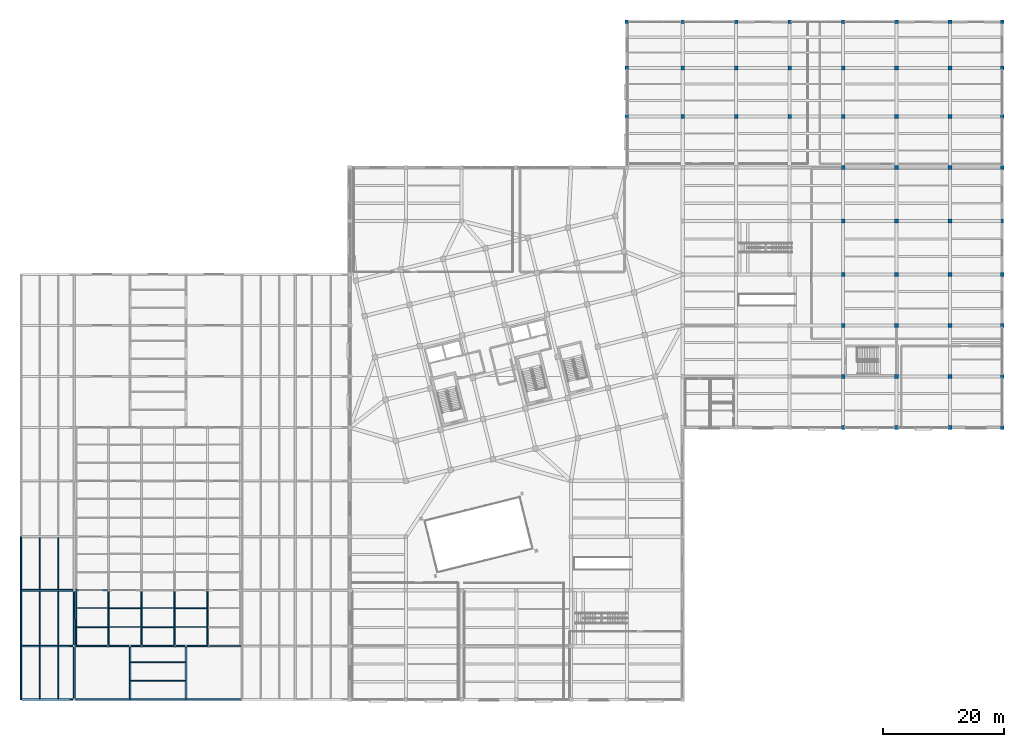
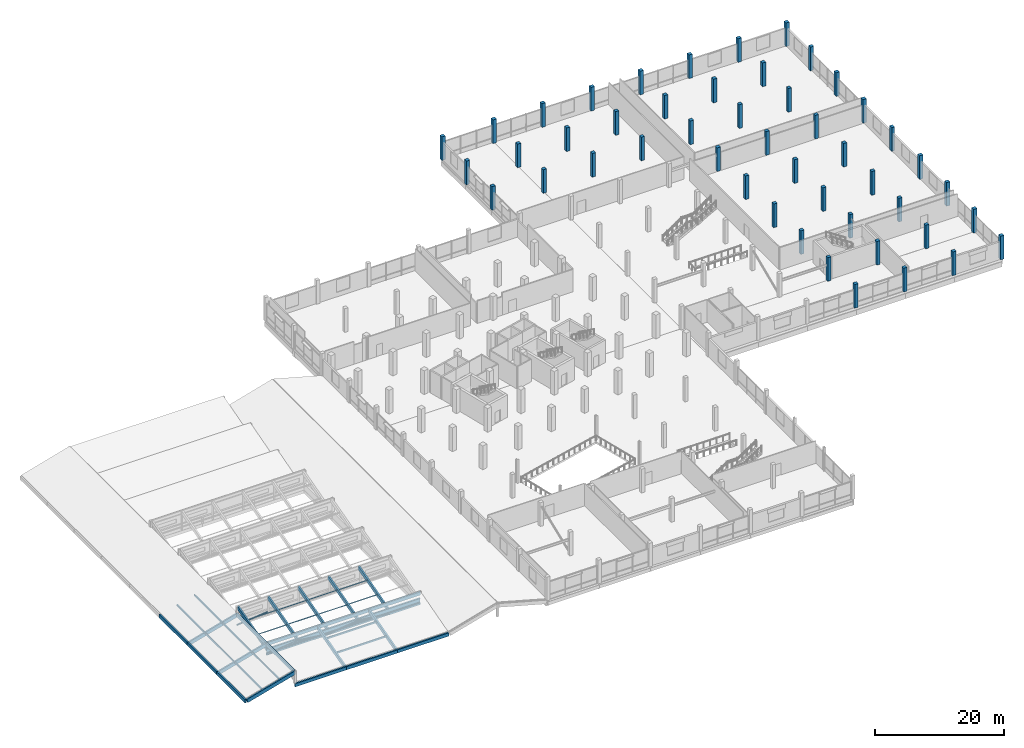
# One storey, part 9 of 77: 48 columns, 22 beams, 22 members.
"""IFC4 building model written with IfcOpenShell, lengths in metres."""

from ifc_helpers import new_model, si_unit, direction, frame, origin, origin_2d, place, context, subcontext, project, spatial, rectangle, hollow_rectangle, hollow_circle, i_section, extrude, material, material_profile, profile_set, type_object, element, save


model = new_model("IFC4")

# Units and contexts
model_context = context("Model", 3, precision=1e-05, world=origin(), true_north=direction((0.0, 1.0)))
body_context = subcontext(model_context, "Body", "Model", "MODEL_VIEW")
ifc_project = project(units=[si_unit("LENGTHUNIT", "METRE"), si_unit("AREAUNIT", "SQUARE_METRE"), si_unit("VOLUMEUNIT", "CUBIC_METRE"), si_unit("PLANEANGLEUNIT", "RADIAN"), si_unit("MASSUNIT", "GRAM", prefix="KILO")], contexts=[model_context])

# Site, building, storey
site_placement = place(None, origin())
site = spatial("IfcSite", under=ifc_project, at=site_placement, CompositionType="ELEMENT")
building_placement = place(site_placement, origin())
building = spatial("IfcBuilding", under=site, at=building_placement, Name="Meriwether Solvik Hall", CompositionType="ELEMENT")
storey_placement = place(building_placement, frame((0.0, 0.0, 9.89990234375)))
storey = spatial("IfcBuildingStorey", under=building, at=storey_placement, Name="L02", CompositionType="ELEMENT", Elevation=9.89990234375)

# Columns
ifc_material_1 = material(Name="Concrete C40/50", Category="concrete")
ifc_material_profile_1 = material_profile(ifc_material_1, rectangle(XDim=0.60009765625, YDim=0.60009765625, at=origin_2d()), Name="RCC-600X600")
ifc_profile_set_1 = profile_set([ifc_material_profile_1], Name="Concrete C40/50")
column_type_1 = type_object("IfcColumnType", Name="COL-RC-600", PredefinedType="COLUMN", material=ifc_profile_set_1)
for number, where, z_axis, x_axis, name in (
    (1, (105.0, 101.199951171875, 0.0), (0.0, 0.0, 1.0), (1.0, 0.0, 0.0), "Podium Column 12/L (L02)"),
    (2, (105.0, 109.199951171875, 0.0), (0.0, 0.0, 1.0), (1.0, 0.0, 0.0), "Podium Column 12/M (L02)"),
    (3, (105.0, 116.800048828125, 0.0), (0.0, 0.0, 1.0), (1.0, 0.0, 0.0), "Podium Column 12/N (L02)"),
    (4, (114.199951171875, 101.199951171875, 0.0), (0.0, 0.0, 1.0), (1.0, 0.0, 0.0), "Podium Column 13/L (L02)"),
    (5, (114.199951171875, 109.199951171875, 0.0), (0.0, 0.0, 1.0), (1.0, 0.0, 0.0), "Podium Column 13/M (L02)"),
    (6, (114.199951171875, 116.800048828125, 0.0), (0.0, 0.0, 1.0), (1.0, 0.0, 0.0), "Podium Column 13/N (L02)"),
    (7, (123.0, 101.199951171875, 0.0), (0.0, 0.0, 1.0), (1.0, 0.0, 0.0), "Podium Column 14/L (L02)"),
    (8, (123.0, 109.199951171875, 0.0), (0.0, 0.0, 1.0), (1.0, 0.0, 0.0), "Podium Column 14/M (L02)"),
    (9, (123.0, 116.800048828125, 0.0), (0.0, 0.0, 1.0), (1.0, 0.0, 0.0), "Podium Column 14/N (L02)"),
    (10, (131.800048828125, 101.199951171875, 0.0), (0.0, 0.0, 1.0), (1.0, 0.0, 0.0), "Podium Column 15/L (L02)"),
    (11, (131.800048828125, 109.199951171875, 0.0), (0.0, 0.0, 1.0), (1.0, 0.0, 0.0), "Podium Column 15/M (L02)"),
    (12, (131.800048828125, 116.800048828125, 0.0), (0.0, 0.0, 1.0), (1.0, 0.0, 0.0), "Podium Column 15/N (L02)"),
    (13, (140.60009765625, 50.0, 0.0), (0.0, 0.0, 1.0), (1.0, 0.0, 0.0), "Podium Column 16/F (L02)"),
    (14, (140.60009765625, 58.39990234375, 0.0), (0.0, 0.0, 1.0), (1.0, 0.0, 0.0), "Podium Column 16/G (L02)"),
    (15, (140.60009765625, 66.800048828125, 0.0), (0.0, 0.0, 1.0), (1.0, 0.0, 0.0), "Podium Column 16/H (L02)"),
    (16, (140.60009765625, 75.199951171875, 0.0), (0.0, 0.0, 1.0), (1.0, 0.0, 0.0), "Podium Column 16/I (L02)"),
    (17, (140.60009765625, 84.0, 0.0), (0.0, 0.0, 1.0), (1.0, 0.0, 0.0), "Podium Column 16/J (L02)"),
    (18, (140.60009765625, 92.800048828125, 0.0), (0.0, 0.0, 1.0), (1.0, 0.0, 0.0), "Podium Column 16/K (L02)"),
    (19, (140.60009765625, 101.199951171875, 0.0), (0.0, 0.0, 1.0), (1.0, 0.0, 0.0), "Podium Column 16/L (L02)"),
    (20, (140.60009765625, 109.199951171875, 0.0), (0.0, 0.0, 1.0), (1.0, 0.0, 0.0), "Podium Column 16/M (L02)"),
    (21, (140.60009765625, 116.800048828125, 0.0), (0.0, 0.0, 1.0), (1.0, 0.0, 0.0), "Podium Column 16/N (L02)"),
    (22, (149.39990234375, 50.0, 0.0), (0.0, 0.0, 1.0), (1.0, 0.0, 0.0), "Podium Column 17/F (L02)"),
    (23, (149.39990234375, 58.39990234375, 0.0), (0.0, 0.0, 1.0), (1.0, 0.0, 0.0), "Podium Column 17/G (L02)"),
    (24, (149.39990234375, 66.800048828125, 0.0), (0.0, 0.0, 1.0), (1.0, 0.0, 0.0), "Podium Column 17/H (L02)"),
    (25, (149.39990234375, 75.199951171875, 0.0), (0.0, 0.0, 1.0), (1.0, 0.0, 0.0), "Podium Column 17/I (L02)"),
    (26, (149.39990234375, 84.0, 0.0), (0.0, 0.0, 1.0), (1.0, 0.0, 0.0), "Podium Column 17/J (L02)"),
    (27, (149.39990234375, 92.800048828125, 0.0), (0.0, 0.0, 1.0), (1.0, 0.0, 0.0), "Podium Column 17/K (L02)"),
    (28, (149.39990234375, 101.199951171875, 0.0), (0.0, 0.0, 1.0), (1.0, 0.0, 0.0), "Podium Column 17/L (L02)"),
    (29, (149.39990234375, 109.199951171875, 0.0), (0.0, 0.0, 1.0), (1.0, 0.0, 0.0), "Podium Column 17/M (L02)"),
    (30, (149.39990234375, 116.800048828125, 0.0), (0.0, 0.0, 1.0), (1.0, 0.0, 0.0), "Podium Column 17/N (L02)"),
    (31, (158.199951171875, 50.0, 0.0), (0.0, 0.0, 1.0), (1.0, 0.0, 0.0), "Podium Column 18/F (L02)"),
    (32, (158.199951171875, 58.39990234375, 0.0), (0.0, 0.0, 1.0), (1.0, 0.0, 0.0), "Podium Column 18/G (L02)"),
    (33, (158.199951171875, 66.800048828125, 0.0), (0.0, 0.0, 1.0), (1.0, 0.0, 0.0), "Podium Column 18/H (L02)"),
    (34, (158.199951171875, 75.199951171875, 0.0), (0.0, 0.0, 1.0), (1.0, 0.0, 0.0), "Podium Column 18/I (L02)"),
    (35, (158.199951171875, 84.0, 0.0), (0.0, 0.0, 1.0), (1.0, 0.0, 0.0), "Podium Column 18/J (L02)"),
    (36, (158.199951171875, 92.800048828125, 0.0), (0.0, 0.0, 1.0), (1.0, 0.0, 0.0), "Podium Column 18/K (L02)"),
    (37, (158.199951171875, 101.199951171875, 0.0), (0.0, 0.0, 1.0), (1.0, 0.0, 0.0), "Podium Column 18/L (L02)"),
    (38, (158.199951171875, 109.199951171875, 0.0), (0.0, 0.0, 1.0), (1.0, 0.0, 0.0), "Podium Column 18/M (L02)"),
    (39, (158.199951171875, 116.800048828125, 0.0), (0.0, 0.0, 1.0), (1.0, 0.0, 0.0), "Podium Column 18/N (L02)"),
    (40, (166.800048828125, 50.0, 0.0), (0.0, 0.0, 1.0), (1.0, 0.0, 0.0), "Podium Column 19/F (L02)"),
    (41, (166.800048828125, 58.39990234375, 0.0), (0.0, 0.0, 1.0), (1.0, 0.0, 0.0), "Podium Column 19/G (L02)"),
    (42, (166.800048828125, 66.800048828125, 0.0), (0.0, 0.0, 1.0), (1.0, 0.0, 0.0), "Podium Column 19/H (L02)"),
    (43, (166.800048828125, 75.199951171875, 0.0), (0.0, 0.0, 1.0), (1.0, 0.0, 0.0), "Podium Column 19/I (L02)"),
    (44, (166.800048828125, 92.800048828125, 0.0), (0.0, 0.0, 1.0), (1.0, 0.0, 0.0), "Podium Column 19/K (L02)"),
    (45, (166.800048828125, 101.199951171875, 0.0), (0.0, 0.0, 1.0), (1.0, 0.0, 0.0), "Podium Column 19/L (L02)"),
    (46, (166.800048828125, 109.199951171875, 0.0), (0.0, 0.0, 1.0), (1.0, 0.0, 0.0), "Podium Column 19/M (L02)"),
    (47, (166.800048828125, 116.800048828125, 0.0), (0.0, 0.0, 1.0), (1.0, 0.0, 0.0), "Podium Column 19/N (L02)"),
):
    element("IfcColumn", number, at=place(storey_placement, frame(where, z_axis=z_axis, x_axis=x_axis)), inside=storey, type_object=column_type_1, Name=name, PredefinedType="COLUMN", context=body_context, shape_type="SweptSolid", body=[
        extrude(rectangle(XDim=0.60009765625, YDim=0.60009765625, at=origin_2d()), origin(), (0.0, 0.0, 1.0), 4.5),
    ])
ifc_material_2 = material(Name="Concrete C40/50", Category="concrete")
ifc_material_profile_2 = material_profile(ifc_material_2, rectangle(XDim=0.449951171875, YDim=0.699951171875, at=origin_2d()), Name="RCP-450X700")
ifc_profile_set_2 = profile_set([ifc_material_profile_2], Name="Concrete C40/50")
column_type_2 = type_object("IfcColumnType", Name="PIL-RC-450X700", PredefinedType="PILASTER", material=ifc_profile_set_2)
column_placement = place(storey_placement, frame((166.800048828125, 84.0, 0.0), z_axis=(0.0, 0.0, 1.0), x_axis=(1.0, 0.0, 0.0)))
element("IfcColumn", 48, at=column_placement, inside=storey, type_object=column_type_2, Name="Podium Column 19/J (L02)", PredefinedType="PILASTER", context=body_context, shape_type="SweptSolid", body=[
    extrude(rectangle(XDim=0.449951171875, YDim=0.699951171875, at=origin_2d()), origin(), (0.0, 0.0, 1.0), 4.5),
])

# Beams
ifc_material_3 = material(Name="Glulam Douglas-Fir 24F-V8 GL28h", Category="wood")
ifc_material_profile_3 = material_profile(ifc_material_3, rectangle(XDim=0.27294921875, YDim=0.610107421875, at=origin_2d()), Name="GLB-273X610")
ifc_profile_set_3 = profile_set([ifc_material_profile_3], Name="Glulam Douglas-Fir 24F-V8 GL28h")
beam_type_1 = type_object("IfcBeamType", Name="BM-GL-273X610", PredefinedType="SPANDREL", material=ifc_profile_set_3)
beam_1_placement = place(storey_placement, frame((5.199951171875, 5.199951171875, -0.323974609375), z_axis=(0.0, 1.0, 0.0), x_axis=(-1.0, 0.0, 0.0)))
element("IfcBeam", 49, at=beam_1_placement, inside=storey, type_object=beam_type_1, Name="Roof Tie Beam 1:A-B (L02)", PredefinedType="SPANDREL", context=body_context, shape_type="SweptSolid", body=[
    extrude(rectangle(XDim=0.27294921875, YDim=0.610107421875, at=origin_2d()), origin(), (0.0, 0.0, 1.0), 8.800048828125),
])
beam_2_placement = place(storey_placement, frame((5.199951171875, 14.0, -0.323974609375), z_axis=(0.0, 1.0, 0.0), x_axis=(-1.0, 0.0, 0.0)))
element("IfcBeam", 50, at=beam_2_placement, inside=storey, type_object=beam_type_1, Name="Roof Tie Beam 1:B-C (L02)", PredefinedType="SPANDREL", context=body_context, shape_type="SweptSolid", body=[
    extrude(rectangle(XDim=0.27294921875, YDim=0.610107421875, at=origin_2d()), origin(), (0.0, 0.0, 1.0), 9.199951171875),
])
for number, where, z_axis, x_axis, name in (
    (51, (5.199951171875, 23.199951171875, -0.323974609375), (0.0, 1.0, 0.0), (-1.0, 0.0, 0.0), "Roof Tie Beam 1:C-D (L02)"),
    (52, (14.0, 5.199951171875, 2.135986328125), (0.0, 1.0, 0.0), (-1.0, 0.0, 0.0), "Roof Tie Beam 2:A-B (L02)"),
):
    element("IfcBeam", number, at=place(storey_placement, frame(where, z_axis=z_axis, x_axis=x_axis)), inside=storey, type_object=beam_type_1, Name=name, PredefinedType="SPANDREL", context=body_context, shape_type="SweptSolid", body=[
        extrude(rectangle(XDim=0.27294921875, YDim=0.610107421875, at=origin_2d()), origin(), (0.0, 0.0, 1.0), 8.800048828125),
    ])
for number, where, z_axis, x_axis, name in (
    (53, (14.0, 14.0, 2.135986328125), (0.0, 1.0, 0.0), (-1.0, 0.0, 0.0), "Roof Tie Beam 2:B-C (L02)"),
    (54, (14.0, 5.199951171875, -0.323974609375), (1.0, 0.0, 0.0), (0.0, 1.0, 0.0), "Roof Tie Beam A:2-3 (L02)"),
    (55, (23.199951171875, 5.199951171875, -0.323974609375), (1.0, 0.0, 0.0), (0.0, 1.0, 0.0), "Roof Tie Beam A:3-4 (L02)"),
):
    element("IfcBeam", number, at=place(storey_placement, frame(where, z_axis=z_axis, x_axis=x_axis)), inside=storey, type_object=beam_type_1, Name=name, PredefinedType="SPANDREL", context=body_context, shape_type="SweptSolid", body=[
        extrude(rectangle(XDim=0.27294921875, YDim=0.610107421875, at=origin_2d()), origin(), (0.0, 0.0, 1.0), 9.199951171875),
    ])
beam_3_placement = place(storey_placement, frame((32.39990234375, 5.199951171875, -0.323974609375), z_axis=(1.0, 0.0, 0.0), x_axis=(0.0, 1.0, 0.0)))
element("IfcBeam", 56, at=beam_3_placement, inside=storey, type_object=beam_type_1, Name="Roof Tie Beam A:4-5 (L02)", PredefinedType="SPANDREL", context=body_context, shape_type="SweptSolid", body=[
    extrude(rectangle(XDim=0.27294921875, YDim=0.610107421875, at=origin_2d()), origin(), (0.0, 0.0, 1.0), 9.2001953125),
])
for number, where, z_axis, x_axis, name in (
    (57, (14.0, 14.0, 2.135986328125), (1.0, 0.0, 0.0), (0.0, 1.0, 0.0), "Roof Tie Beam B:2-3 (L02)"),
    (58, (23.199951171875, 14.0, 2.135986328125), (1.0, 0.0, 0.0), (0.0, 1.0, 0.0), "Roof Tie Beam B:3-4 (L02)"),
):
    element("IfcBeam", number, at=place(storey_placement, frame(where, z_axis=z_axis, x_axis=x_axis)), inside=storey, type_object=beam_type_1, Name=name, PredefinedType="SPANDREL", context=body_context, shape_type="SweptSolid", body=[
        extrude(rectangle(XDim=0.27294921875, YDim=0.610107421875, at=origin_2d()), origin(), (0.0, 0.0, 1.0), 9.199951171875),
    ])
beam_4_placement = place(storey_placement, frame((32.39990234375, 14.0, 2.135986328125), z_axis=(1.0, 0.0, 0.0), x_axis=(0.0, 1.0, 0.0)))
element("IfcBeam", 59, at=beam_4_placement, inside=storey, type_object=beam_type_1, Name="Roof Tie Beam B:4-5 (L02)", PredefinedType="SPANDREL", context=body_context, shape_type="SweptSolid", body=[
    extrude(rectangle(XDim=0.27294921875, YDim=0.610107421875, at=origin_2d()), origin(), (0.0, 0.0, 1.0), 9.2001953125),
])
ifc_material_4 = material(Name="Glulam Douglas-Fir 24F-V8 GL28h", Category="wood")
ifc_material_profile_4 = material_profile(ifc_material_4, rectangle(XDim=0.27294921875, YDim=0.68505859375, at=origin_2d()), Name="GLB-273X685")
ifc_profile_set_4 = profile_set([ifc_material_profile_4], Name="Glulam Douglas-Fir 24F-V8 GL28h")
beam_type_2 = type_object("IfcBeamType", Name="BM-GL-273X685", PredefinedType="BEAM", material=ifc_profile_set_4)
for number, where, z_axis, x_axis, name in (
    (60, (5.420166015625, 5.199951171875, -0.31298828125), (0.963077401933, 0.0, 0.269224660621), (0.0, 1.0, 0.0), "Raking Glulam Roof Rafter w1_west_aisle-A (L02)"),
    (61, (5.420166015625, 14.0, -0.31298828125), (0.963077401933, 0.0, 0.269224660621), (0.0, 1.0, 0.0), "Raking Glulam Roof Rafter w1_west_aisle-B (L02)"),
    (62, (5.420166015625, 23.199951171875, -0.31298828125), (0.963077401933, 0.0, 0.269224660621), (0.0, 1.0, 0.0), "Raking Glulam Roof Rafter w1_west_aisle-C (L02)"),
    (63, (23.199951171875, 5.420166015625, -0.31298828125), (0.0, 0.963077401933, 0.269224660621), (-1.0, 0.0, 0.0), "Raking Glulam Roof Rafter w1_south_nar-3 (L02)"),
    (64, (32.39990234375, 5.420166015625, -0.31298828125), (0.0, 0.963077401933, 0.269224660621), (-1.0, 0.0, 0.0), "Raking Glulam Roof Rafter w1_south_nar-4 (L02)"),
):
    element("IfcBeam", number, at=place(storey_placement, frame(where, z_axis=z_axis, x_axis=x_axis)), inside=storey, type_object=beam_type_2, Name=name, PredefinedType="BEAM", context=body_context, shape_type="SweptSolid", body=[
        extrude(rectangle(XDim=0.27294921875, YDim=0.68505859375, at=origin_2d()), origin(), (0.0, 0.0, 1.0), 8.87158203125),
    ])
for number, where, z_axis, x_axis, name in (
    (65, (14.239990234375, 14.08984375, 0.89453125), (0.0, 0.965005119019, 0.262231043674), (-1.0, 0.0, 0.0), "Sanctuary Sawtooth Rafter 1.1"),
    (66, (19.6640625, 14.08984375, 0.89453125), (0.0, 0.965005119019, 0.262231043674), (-1.0, 0.0, 0.0), "Sanctuary Sawtooth Rafter 1.2"),
    (67, (25.087890625, 14.08984375, 0.89453125), (0.0, 0.965005119019, 0.262231043674), (-1.0, 0.0, 0.0), "Sanctuary Sawtooth Rafter 1.3"),
    (68, (30.511962890625, 14.08984375, 0.89453125), (0.0, 0.965005119019, 0.262231043674), (-1.0, 0.0, 0.0), "Sanctuary Sawtooth Rafter 1.4"),
    (69, (35.93603515625, 14.08984375, 0.89453125), (0.0, 0.965005119019, 0.262231043674), (-1.0, 0.0, 0.0), "Sanctuary Sawtooth Rafter 1.5"),
):
    element("IfcBeam", number, at=place(storey_placement, frame(where, z_axis=z_axis, x_axis=x_axis)), inside=storey, type_object=beam_type_2, Name=name, PredefinedType="BEAM", context=body_context, shape_type="SweptSolid", body=[
        extrude(rectangle(XDim=0.27294921875, YDim=0.68505859375, at=origin_2d()), origin(), (0.0, 0.0, 1.0), 9.53369140625),
    ])
ifc_material_5 = material(Name="Steel A992 Grade 50", Category="steel")
ifc_material_profile_5 = material_profile(ifc_material_5, i_section(OverallWidth=0.26806640625, OverallDepth=0.77001953125, WebThickness=0.015625, FlangeThickness=0.025390625, at=origin_2d()), Name="W30X132")
ifc_profile_set_5 = profile_set([ifc_material_profile_5], Name="Steel A992 Grade 50")
beam_type_3 = type_object("IfcBeamType", Name="BM-STL-W30X132", PredefinedType="BEAM", material=ifc_profile_set_5)
beam_5_placement = place(storey_placement, frame((14.0, 14.0, 0.840087890625), z_axis=(1.0, 0.0, 0.0), x_axis=(0.0, 1.0, 0.0)))
element("IfcBeam", 70, at=beam_5_placement, inside=storey, type_object=beam_type_3, Name="Sanctuary Roof Truss T1 (B) Top Girder", PredefinedType="BEAM", context=body_context, shape_type="SweptSolid", body=[
    extrude(i_section(OverallWidth=0.26806640625, OverallDepth=0.77001953125, WebThickness=0.015625, FlangeThickness=0.025390625, at=origin_2d()), origin(), (0.0, 0.0, 1.0), 27.60009765625),
])

# Members
ifc_material_6 = material(Name="Steel A500 Grade C", Category="steel")
ifc_material_profile_6 = material_profile(ifc_material_6, hollow_circle(Radius=0.109619140625, WallThickness=0.009521484375, at=origin_2d()), Name="CHS219X9.5")
ifc_profile_set_6 = profile_set([ifc_material_profile_6], Name="Steel A500 Grade C")
member_type_1 = type_object("IfcMemberType", Name="MEM-BR-CHS219", PredefinedType="BRACE", material=ifc_profile_set_6)
for number, where, z_axis, x_axis, name in (
    (71, (19.52001953125, 14.0, 0.840087890625), (0.992279227016, 0.0, -0.124023931692), (0.0, 1.0, 0.0), "Sanctuary Truss T1 Diagonal 2"),
    (72, (25.0400390625, 14.0, 0.150146484375), (0.992279227016, 0.0, 0.124023931692), (0.0, 1.0, 0.0), "Sanctuary Truss T1 Diagonal 3"),
    (73, (30.56005859375, 14.0, 0.840087890625), (0.992279227016, 0.0, -0.124023931692), (0.0, 1.0, 0.0), "Sanctuary Truss T1 Diagonal 4"),
):
    element("IfcMember", number, at=place(storey_placement, frame(where, z_axis=z_axis, x_axis=x_axis)), inside=storey, type_object=member_type_1, Name=name, PredefinedType="BRACE", context=body_context, shape_type="SweptSolid", body=[
        extrude(hollow_circle(Radius=0.109619140625, WallThickness=0.009521484375, at=origin_2d()), origin(), (0.0, 0.0, 1.0), 5.56298828125),
    ])
ifc_material_7 = material(Name="Steel A500 Grade C", Category="steel")
ifc_material_profile_7 = material_profile(ifc_material_7, hollow_rectangle(XDim=0.202880859375, YDim=0.202880859375, WallThickness=0.0126953125, at=origin_2d()), Name="HSS203X203X12.7")
ifc_profile_set_7 = profile_set([ifc_material_profile_7], Name="Steel A500 Grade C")
member_type_2 = type_object("IfcMemberType", Name="MEM-BR-HSS203", PredefinedType="BRACE", material=ifc_profile_set_7)
member_1_placement = place(storey_placement, frame((14.0, 14.0, 0.150146484375), z_axis=(0.992279227016, 0.0, 0.124023931692), x_axis=(0.0, 1.0, 0.0)))
element("IfcMember", 74, at=member_1_placement, inside=storey, type_object=member_type_2, Name="Sanctuary Truss T1 Diagonal 1", PredefinedType="BRACE", context=body_context, shape_type="SweptSolid", body=[
    extrude(hollow_rectangle(XDim=0.202880859375, YDim=0.202880859375, WallThickness=0.0126953125, at=origin_2d()), origin(), (0.0, 0.0, 1.0), 5.56298828125),
])
member_2_placement = place(storey_placement, frame((14.0, 23.199951171875, 0.150146484375), z_axis=(0.993841313907, 0.0, 0.110812647163), x_axis=(0.0, 1.0, 0.0)))
element("IfcMember", 75, at=member_2_placement, inside=storey, type_object=member_type_2, Name="Sanctuary Truss T2 Diagonal 1", PredefinedType="BRACE", context=body_context, shape_type="SweptSolid", body=[
    extrude(hollow_rectangle(XDim=0.202880859375, YDim=0.202880859375, WallThickness=0.0126953125, at=origin_2d()), origin(), (0.0, 0.0, 1.0), 5.55419921875),
])
ifc_material_8 = material(Name="Steel A500 Grade C", Category="steel")
ifc_material_profile_8 = material_profile(ifc_material_8, hollow_rectangle(XDim=0.202880859375, YDim=0.304931640625, WallThickness=0.0126953125, at=origin_2d()), Name="HSS305X203X12.7")
ifc_profile_set_8 = profile_set([ifc_material_profile_8], Name="Steel A500 Grade C")
member_type_3 = type_object("IfcMemberType", Name="MEM-CHORD-HSS305", PredefinedType="CHORD", material=ifc_profile_set_8)
member_3_placement = place(storey_placement, frame((14.0, 14.0, 0.150146484375), z_axis=(1.0, 0.0, 0.0), x_axis=(0.0, 1.0, 0.0)))
element("IfcMember", 76, at=member_3_placement, inside=storey, type_object=member_type_3, Name="Sanctuary Roof Truss T1 (B) Bottom Chord", PredefinedType="CHORD", context=body_context, shape_type="SweptSolid", body=[
    extrude(hollow_rectangle(XDim=0.202880859375, YDim=0.304931640625, WallThickness=0.0126953125, at=origin_2d()), origin(), (0.0, 0.0, 1.0), 27.60009765625),
])
ifc_material_9 = material(Name="Steel A500 Grade C", Category="steel")
ifc_material_profile_9 = material_profile(ifc_material_9, hollow_circle(Radius=0.084228515625, WallThickness=0.0078125, at=origin_2d()), Name="CHS168X7.9")
ifc_profile_set_9 = profile_set([ifc_material_profile_9], Name="Steel A500 Grade C")
member_type_4 = type_object("IfcMemberType", Name="MEM-PRL-CHS168", PredefinedType="PURLIN", material=ifc_profile_set_9)
member_4_placement = place(storey_placement, frame((14.3720703125, 17.1279296875, 1.968994140625), z_axis=(1.0, 0.0, 0.0), x_axis=(0.0, 1.0, 0.0)))
element("IfcMember", 77, at=member_4_placement, inside=storey, type_object=member_type_4, Name="Sanctuary Sawtooth Purlin 1.1.1", PredefinedType="PURLIN", context=body_context, shape_type="SweptSolid", body=[
    extrude(hollow_circle(Radius=0.084228515625, WallThickness=0.0078125, at=origin_2d()), origin(), (0.0, 0.0, 1.0), 5.159912109375),
])
member_5_placement = place(storey_placement, frame((19.7958984375, 20.256103515625, 2.81884765625), z_axis=(1.0, 0.0, 0.0), x_axis=(0.0, 1.0, 0.0)))
element("IfcMember", 78, at=member_5_placement, inside=storey, type_object=member_type_4, Name="Sanctuary Sawtooth Purlin 1.2.2", PredefinedType="PURLIN", context=body_context, shape_type="SweptSolid", body=[
    extrude(hollow_circle(Radius=0.084228515625, WallThickness=0.0078125, at=origin_2d()), origin(), (0.0, 0.0, 1.0), 5.16015625),
])
for number, where, z_axis, x_axis, name in (
    (79, (25.219970703125, 17.1279296875, 1.968994140625), (1.0, 0.0, 0.0), (0.0, 1.0, 0.0), "Sanctuary Sawtooth Purlin 1.3.1"),
    (80, (30.64404296875, 20.256103515625, 2.81884765625), (1.0, 0.0, 0.0), (0.0, 1.0, 0.0), "Sanctuary Sawtooth Purlin 1.4.2"),
):
    element("IfcMember", number, at=place(storey_placement, frame(where, z_axis=z_axis, x_axis=x_axis)), inside=storey, type_object=member_type_4, Name=name, PredefinedType="PURLIN", context=body_context, shape_type="SweptSolid", body=[
        extrude(hollow_circle(Radius=0.084228515625, WallThickness=0.0078125, at=origin_2d()), origin(), (0.0, 0.0, 1.0), 5.159912109375),
    ])
ifc_material_10 = material(Name="Glulam Douglas-Fir 24F-V8 GL28h", Category="wood")
ifc_material_profile_10 = material_profile(ifc_material_10, rectangle(XDim=0.175048828125, YDim=0.304931640625, at=origin_2d()), Name="GLM-175X305")
ifc_profile_set_10 = profile_set([ifc_material_profile_10], Name="Glulam Douglas-Fir 24F-V8 GL28h")
member_type_5 = type_object("IfcMemberType", Name="MEM-PRL-GL175", PredefinedType="PURLIN", material=ifc_profile_set_10)
for number, where, z_axis, x_axis, name in (
    (81, (8.280029296875, 5.33251953125, 0.689453125), (0.0, 1.0, 0.0), (-1.0, 0.0, 0.0), "Sloped Roof Glulam Purlin w1_west_aisle-1.1"),
    (82, (11.360107421875, 5.33251953125, 1.550537109375), (0.0, 1.0, 0.0), (-1.0, 0.0, 0.0), "Sloped Roof Glulam Purlin w1_west_aisle-1.2"),
):
    element("IfcMember", number, at=place(storey_placement, frame(where, z_axis=z_axis, x_axis=x_axis)), inside=storey, type_object=member_type_5, Name=name, PredefinedType="PURLIN", context=body_context, shape_type="SweptSolid", body=[
        extrude(rectangle(XDim=0.175048828125, YDim=0.304931640625, at=origin_2d()), origin(), (0.0, 0.0, 1.0), 8.534912109375),
    ])
for number, where, z_axis, x_axis, name in (
    (83, (8.280029296875, 14.132568359375, 0.689453125), (0.0, 1.0, 0.0), (-1.0, 0.0, 0.0), "Sloped Roof Glulam Purlin w1_west_aisle-2.1"),
    (84, (11.360107421875, 14.132568359375, 1.550537109375), (0.0, 1.0, 0.0), (-1.0, 0.0, 0.0), "Sloped Roof Glulam Purlin w1_west_aisle-2.2"),
):
    element("IfcMember", number, at=place(storey_placement, frame(where, z_axis=z_axis, x_axis=x_axis)), inside=storey, type_object=member_type_5, Name=name, PredefinedType="PURLIN", context=body_context, shape_type="SweptSolid", body=[
        extrude(rectangle(XDim=0.175048828125, YDim=0.304931640625, at=origin_2d()), origin(), (0.0, 0.0, 1.0), 8.934814453125),
    ])
for number, where, z_axis, x_axis, name in (
    (85, (8.280029296875, 23.33251953125, 0.689453125), (0.0, 1.0, 0.0), (-1.0, 0.0, 0.0), "Sloped Roof Glulam Purlin w1_west_aisle-3.1"),
    (86, (11.360107421875, 23.33251953125, 1.550537109375), (0.0, 1.0, 0.0), (-1.0, 0.0, 0.0), "Sloped Roof Glulam Purlin w1_west_aisle-3.2"),
):
    element("IfcMember", number, at=place(storey_placement, frame(where, z_axis=z_axis, x_axis=x_axis)), inside=storey, type_object=member_type_5, Name=name, PredefinedType="PURLIN", context=body_context, shape_type="SweptSolid", body=[
        extrude(rectangle(XDim=0.175048828125, YDim=0.304931640625, at=origin_2d()), origin(), (0.0, 0.0, 1.0), 8.534912109375),
    ])
for number, where, z_axis, x_axis, name in (
    (87, (23.33251953125, 8.280029296875, 0.689453125), (1.0, 0.0, 0.0), (0.0, 1.0, 0.0), "Sloped Roof Glulam Purlin w1_south_nar-1.1"),
    (88, (23.33251953125, 11.360107421875, 1.550537109375), (1.0, 0.0, 0.0), (0.0, 1.0, 0.0), "Sloped Roof Glulam Purlin w1_south_nar-1.2"),
):
    element("IfcMember", number, at=place(storey_placement, frame(where, z_axis=z_axis, x_axis=x_axis)), inside=storey, type_object=member_type_5, Name=name, PredefinedType="PURLIN", context=body_context, shape_type="SweptSolid", body=[
        extrude(rectangle(XDim=0.175048828125, YDim=0.304931640625, at=origin_2d()), origin(), (0.0, 0.0, 1.0), 8.93505859375),
    ])
ifc_material_11 = material(Name="Steel A500 Grade C", Category="steel")
ifc_material_profile_11 = material_profile(ifc_material_11, hollow_rectangle(XDim=0.126953125, YDim=0.126953125, WallThickness=0.0078125, at=origin_2d()), Name="HSS127X127X7.9")
ifc_profile_set_11 = profile_set([ifc_material_profile_11], Name="Steel A500 Grade C")
member_type_6 = type_object("IfcMemberType", Name="MEM-PRL-HSS127", PredefinedType="PURLIN", material=ifc_profile_set_11)
member_6_placement = place(storey_placement, frame((14.3720703125, 20.256103515625, 2.839599609375), z_axis=(1.0, 0.0, 0.0), x_axis=(0.0, 1.0, 0.0)))
element("IfcMember", 89, at=member_6_placement, inside=storey, type_object=member_type_6, Name="Sanctuary Sawtooth Purlin 1.1.2", PredefinedType="PURLIN", context=body_context, shape_type="SweptSolid", body=[
    extrude(hollow_rectangle(XDim=0.126953125, YDim=0.126953125, WallThickness=0.0078125, at=origin_2d()), origin(), (0.0, 0.0, 1.0), 5.159912109375),
])
member_7_placement = place(storey_placement, frame((19.7958984375, 17.1279296875, 1.989501953125), z_axis=(1.0, 0.0, 0.0), x_axis=(0.0, 1.0, 0.0)))
element("IfcMember", 90, at=member_7_placement, inside=storey, type_object=member_type_6, Name="Sanctuary Sawtooth Purlin 1.2.1", PredefinedType="PURLIN", context=body_context, shape_type="SweptSolid", body=[
    extrude(hollow_rectangle(XDim=0.126953125, YDim=0.126953125, WallThickness=0.0078125, at=origin_2d()), origin(), (0.0, 0.0, 1.0), 5.16015625),
])
for number, where, z_axis, x_axis, name in (
    (91, (25.219970703125, 20.256103515625, 2.839599609375), (1.0, 0.0, 0.0), (0.0, 1.0, 0.0), "Sanctuary Sawtooth Purlin 1.3.2"),
    (92, (30.64404296875, 17.1279296875, 1.989501953125), (1.0, 0.0, 0.0), (0.0, 1.0, 0.0), "Sanctuary Sawtooth Purlin 1.4.1"),
):
    element("IfcMember", number, at=place(storey_placement, frame(where, z_axis=z_axis, x_axis=x_axis)), inside=storey, type_object=member_type_6, Name=name, PredefinedType="PURLIN", context=body_context, shape_type="SweptSolid", body=[
        extrude(hollow_rectangle(XDim=0.126953125, YDim=0.126953125, WallThickness=0.0078125, at=origin_2d()), origin(), (0.0, 0.0, 1.0), 5.159912109375),
    ])

save(model, "model.ifc")
